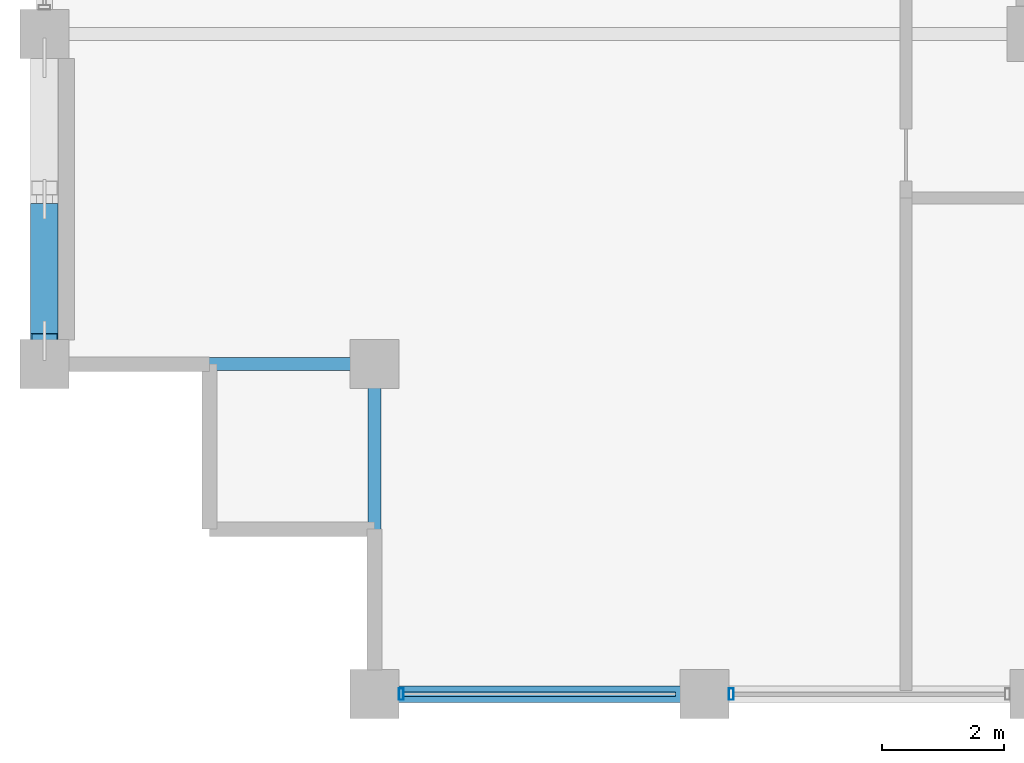
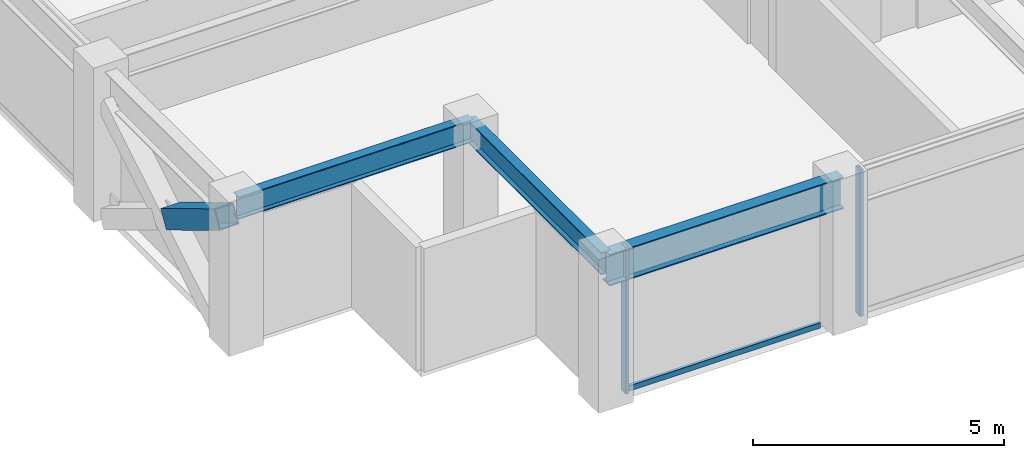
# One storey, part 2 of 32: 4 members, 3 beams, 1 element without a shape of its own.
"""IFC4 building model written with IfcOpenShell, lengths in metres."""

import ifcopenshell
import ifcopenshell.guid

model = None  # the IFC model being written
_history = None  # IfcOwnerHistory: only IFC2X3 demands one
_inside = {}  # id of a spatial element -> (the spatial element, [elements in it])
_under = {}  # id of a project, library or spatial element -> (it, [spatial elements below it])
_declared = {}  # id of a project -> (the project, [libraries it declares])
_typed = {}  # id of a type object -> (the type object, [elements of that type])
_made_of = {}  # id of a material, layer set ... -> (it, [elements and type objects made of it])


def new_model(schema):
    """Start an empty IFC model of exactly this schema.

    Asked for "IFC4X3", IfcOpenShell would pick the latest addendum, in which some entities
    have other attributes; the version numbers below select the first issue.
    IFC2X3 requires an IfcOwnerHistory on every rooted entity: one is made here for all.
    """
    global model, _history
    if schema == "IFC4X3":
        model = ifcopenshell.file(schema_version=(4, 3, 0, 0))
    else:
        model = ifcopenshell.file(schema=schema)
    _inside.clear()
    _under.clear()
    _declared.clear()
    _typed.clear()
    _made_of.clear()
    _history = None
    if model.schema == "IFC2X3":
        org = make("IfcOrganization", Name="unknown")
        user = make(
            "IfcPersonAndOrganization",
            ThePerson=make("IfcPerson", FamilyName="unknown"),
            TheOrganization=org,
        )
        app = make(
            "IfcApplication",
            ApplicationDeveloper=org,
            Version="unknown",
            ApplicationFullName="unknown",
            ApplicationIdentifier="unknown",
        )
        _history = make(
            "IfcOwnerHistory",
            OwningUser=user,
            OwningApplication=app,
            ChangeAction="ADDED",
            CreationDate=0,
        )
    return model


def make(cls, **values):
    """One entity of the class cls with the attributes given. An attribute that is None is left unset."""
    return model.create_entity(
        cls, **{name: value for name, value in values.items() if value is not None}
    )


def rooted(cls, **values):
    """An entity with a GlobalId (a new one), such as an element, a storey or a relation."""
    return make(cls, GlobalId=ifcopenshell.guid.new(), OwnerHistory=_history, **values)


def si_unit(unit_type, name, prefix=None):
    """IfcSIUnit, for example si_unit("LENGTHUNIT", "METRE", prefix="MILLI")."""
    return make("IfcSIUnit", UnitType=unit_type, Prefix=prefix, Name=name)


def assignment(units):
    """IfcUnitAssignment: the units of a project."""
    return None if units is None else make("IfcUnitAssignment", Units=units)


def point(xyz):
    """IfcCartesianPoint."""
    return None if xyz is None else make("IfcCartesianPoint", Coordinates=xyz)


def direction(xyz):
    """IfcDirection."""
    return None if xyz is None else make("IfcDirection", DirectionRatios=xyz)


def frame(location, z_axis=None, x_axis=None):
    """IfcAxis2Placement3D, a coordinate frame: its origin and axes. An axis left out is left unset."""
    return make(
        "IfcAxis2Placement3D",
        Location=point(location),
        Axis=direction(z_axis),
        RefDirection=direction(x_axis),
    )


def frame_2d(location, x_axis=None):
    """IfcAxis2Placement2D, a coordinate frame in the plane: its origin and x axis."""
    return make(
        "IfcAxis2Placement2D", Location=point(location), RefDirection=direction(x_axis)
    )


def origin():
    """The frame at (0, 0, 0) with its axes left unset."""
    return frame((0.0, 0.0, 0.0))


def origin_2d():
    """The frame at (0, 0) in the plane with its x axis left unset."""
    return frame_2d((0.0, 0.0))


def place(relative_to, where):
    """IfcLocalPlacement: puts the frame where relative to a parent placement (None: the world)."""
    return make(
        "IfcLocalPlacement", PlacementRelTo=relative_to, RelativePlacement=where
    )


def context(
    kind, dimensions, precision=None, world=None, true_north=None, identifier=None
):
    """IfcGeometricRepresentationContext, for example the 3D "Model" context."""
    return make(
        "IfcGeometricRepresentationContext",
        ContextIdentifier=identifier,
        ContextType=kind,
        CoordinateSpaceDimension=dimensions,
        Precision=precision,
        WorldCoordinateSystem=world,
        TrueNorth=true_north,
    )


def subcontext(parent, identifier, kind, view, scale=None):
    """IfcGeometricRepresentationSubContext, for example "Body" below "Model"."""
    return make(
        "IfcGeometricRepresentationSubContext",
        ContextIdentifier=identifier,
        ContextType=kind,
        ParentContext=parent,
        TargetScale=scale,
        TargetView=view,
    )


def project(units=None, contexts=None):
    """IfcProject with its units and contexts."""
    return rooted(
        "IfcProject",
        Name="project",
        RepresentationContexts=contexts,
        UnitsInContext=assignment(units),
    )


def spatial(cls, under=None, at=None, **own):
    """A site, building, storey or space (cls), placed at a placement, below another one or the project."""
    s = rooted(cls, ObjectPlacement=at, **own)
    if under is not None:
        _under.setdefault(under.id(), (under, []))[1].append(s)
    return s


def profile(cls, at=None, kind="AREA", **sizes):
    """A parametric profile (cls). Its sizes go by their IFC names, for example OverallWidth=200.0."""
    return make(cls, ProfileType=kind, Position=at, **sizes)


def hollow_rectangle(**sizes):
    """IfcRectangleHollowProfileDef."""
    return profile("IfcRectangleHollowProfileDef", **sizes)


def i_section(**sizes):
    """IfcIShapeProfileDef."""
    return profile("IfcIShapeProfileDef", **sizes)


def extrude(swept, where, along, depth):
    """IfcExtrudedAreaSolid: the profile swept, set in the frame where, extruded along a direction by depth."""
    return make(
        "IfcExtrudedAreaSolid",
        SweptArea=swept,
        Position=where,
        ExtrudedDirection=direction(along),
        Depth=depth,
    )


def shape(context_of_items, identifier, shape_type, items):
    """IfcShapeRepresentation: the items that make up one representation, for example the "Body"."""
    return make(
        "IfcShapeRepresentation",
        ContextOfItems=context_of_items,
        RepresentationIdentifier=identifier,
        RepresentationType=shape_type,
        Items=items,
    )


def material(Name=None, Category=None):
    """IfcMaterial."""
    return make("IfcMaterial", Name=Name, Category=Category)


def layer(
    of_material, thickness, ventilated=None, Name=None, Category=None, Priority=None
):
    """IfcMaterialLayer: one layer of a wall or slab, of a material (None: an air gap)."""
    return make(
        "IfcMaterialLayer",
        Material=of_material,
        LayerThickness=thickness,
        IsVentilated=ventilated,
        Name=Name,
        Category=Category,
        Priority=Priority,
    )


def layer_set(layers, Name=None):
    """IfcMaterialLayerSet."""
    return make("IfcMaterialLayerSet", MaterialLayers=layers, LayerSetName=Name)


def material_profile(
    of_material, cross_section, Name=None, Category=None, Priority=None
):
    """IfcMaterialProfile: a cross section and its material."""
    return make(
        "IfcMaterialProfile",
        Name=Name,
        Material=of_material,
        Profile=cross_section,
        Priority=Priority,
        Category=Category,
    )


def profile_set(profiles, Name=None, composite=None):
    """IfcMaterialProfileSet."""
    return make(
        "IfcMaterialProfileSet",
        Name=Name,
        MaterialProfiles=profiles,
        CompositeProfile=composite,
    )


def made_of(thing, what):
    """Note that an element or type object is made of a material, layer set ...; save() writes the relation."""
    if what is not None:
        _made_of.setdefault(what.id(), (what, []))[1].append(thing)
    return thing


def type_object(cls, material=None, **own):
    """A type object (cls), such as IfcWallType, which elements share."""
    return made_of(rooted(cls, **own), material)


def element(
    cls,
    number,
    at=None,
    inside=None,
    cuts=None,
    type_object=None,
    material=None,
    context=None,
    identifier="Body",
    shape_type=None,
    held_by="IfcProductDefinitionShape",
    body=None,
    shapes=None,
    **own,
):
    """One element of the class cls, such as IfcWall. Its Tag is "e" and its number.

    at: its placement. inside: the storey or other place that contains it. cuts: it is an
    opening in that element (IfcRelVoidsElement). A single representation is given by context,
    identifier, shape_type and body (its items); several are given by shapes. held_by: the class
    of the entity that holds the representations. save() writes the other relations.
    """
    e = rooted(cls, Tag="e%d" % number, ObjectPlacement=at, **own)
    if body is not None:
        shapes = [shape(context, identifier, shape_type, body)]
    if shapes is not None:
        e.Representation = make(held_by, Representations=shapes)
    if inside is not None:
        _inside.setdefault(inside.id(), (inside, []))[1].append(e)
    if cuts is not None:
        rooted(
            "IfcRelVoidsElement", RelatingBuildingElement=cuts, RelatedOpeningElement=e
        )
    if type_object is not None:
        _typed.setdefault(type_object.id(), (type_object, []))[1].append(e)
    return made_of(e, material)


def aggregate(whole, parts):
    """IfcRelAggregates: a whole, such as a stair, and the parts it consists of."""
    return rooted("IfcRelAggregates", RelatingObject=whole, RelatedObjects=parts)


def save(model, path):
    """Write the relations noted so far, then the file.

    IfcRelAggregates (storeys below a building ...), IfcRelContainedInSpatialStructure (elements
    in a storey), IfcRelDefinesByType, IfcRelAssociatesMaterial and IfcRelDeclares: one each for
    every whole, place, type object, material and project.
    """
    for whole, parts in _under.values():
        aggregate(whole, parts)
    for where, things in _inside.values():
        rooted(
            "IfcRelContainedInSpatialStructure",
            RelatedElements=things,
            RelatingStructure=where,
        )
    for kind, things in _typed.values():
        rooted("IfcRelDefinesByType", RelatedObjects=things, RelatingType=kind)
    for what, things in _made_of.values():
        rooted("IfcRelAssociatesMaterial", RelatedObjects=things, RelatingMaterial=what)
    for by, libraries in _declared.values():
        rooted("IfcRelDeclares", RelatingContext=by, RelatedDefinitions=libraries)
    model.write(path)


model = new_model("IFC4")

# Units and contexts
model_context = context("Model", 3, precision=1e-05, world=origin(), true_north=direction((0.0, 1.0)))
body_context = subcontext(model_context, "Body", "Model", "MODEL_VIEW")
ifc_project = project(units=[si_unit("LENGTHUNIT", "METRE"), si_unit("AREAUNIT", "SQUARE_METRE"), si_unit("VOLUMEUNIT", "CUBIC_METRE"), si_unit("PLANEANGLEUNIT", "RADIAN"), si_unit("MASSUNIT", "GRAM", prefix="KILO")], contexts=[model_context])

# Site, building, storey
site_placement = place(None, origin())
site = spatial("IfcSite", under=ifc_project, at=site_placement, CompositionType="ELEMENT")
building_placement = place(site_placement, origin())
building = spatial("IfcBuilding", under=site, at=building_placement, Name="Surkhivell Harbour Commons", CompositionType="ELEMENT")
storey_placement = place(building_placement, frame((0.0, 0.0, 219.75)))
storey = spatial("IfcBuildingStorey", under=building, at=storey_placement, Name="L57", CompositionType="ELEMENT", Elevation=219.75)

# Beams
ifc_material_1 = material(Name="Steel S355", Category="steel")
ifc_material_profile_1 = material_profile(ifc_material_1, i_section(OverallWidth=0.2119140625, OverallDepth=0.5439453125, WebThickness=0.0126953125, FlangeThickness=0.021240234375, at=origin_2d()), Name="UB533x210x122")
ifc_profile_set_1 = profile_set([ifc_material_profile_1], Name="Steel S355")
beam_type_1 = type_object("IfcBeamType", Name="BM-GRD-533A", PredefinedType="BEAM", material=ifc_profile_set_1)
beam_1_placement = place(storey_placement, frame((-27.0, -16.199951171875, 3.298095703125), z_axis=(1.0, 0.0, 0.0), x_axis=(0.0, 1.0, 0.0)))
element("IfcBeam", 1, at=beam_1_placement, inside=storey, type_object=beam_type_1, Name="L57 Floor Girder (-27.0,-16.2)", PredefinedType="BEAM", context=body_context, shape_type="SweptSolid", body=[
    extrude(i_section(OverallWidth=0.2119140625, OverallDepth=0.5439453125, WebThickness=0.0126953125, FlangeThickness=0.021240234375, at=origin_2d()), origin(), (0.0, 0.0, 1.0), 5.39990234375),
])
beam_2_placement = place(storey_placement, frame((-21.60009765625, -21.60009765625, 3.298095703125), z_axis=(0.0, 1.0, 0.0), x_axis=(-1.0, 0.0, 0.0)))
element("IfcBeam", 2, at=beam_2_placement, inside=storey, type_object=beam_type_1, Name="L57 Floor Girder (-21.6,-21.6)", PredefinedType="BEAM", context=body_context, shape_type="SweptSolid", body=[
    extrude(i_section(OverallWidth=0.2119140625, OverallDepth=0.5439453125, WebThickness=0.0126953125, FlangeThickness=0.021240234375, at=origin_2d()), origin(), (0.0, 0.0, 1.0), 5.400146484375),
])
ifc_material_profile_2 = material_profile(ifc_material_1, i_section(OverallWidth=0.26806640625, OverallDepth=0.77001953125, WebThickness=0.015625, FlangeThickness=0.025390625, at=origin_2d()), Name="UB762x267x197")
ifc_profile_set_2 = profile_set([ifc_material_profile_2], Name="Steel S355")
beam_type_2 = type_object("IfcBeamType", Name="BM-SPN-762", PredefinedType="SPANDREL", material=ifc_profile_set_2)
beam_3_placement = place(storey_placement, frame((-21.60009765625, -21.60009765625, 3.18505859375), z_axis=(1.0, 0.0, 0.0), x_axis=(0.0, 1.0, 0.0)))
element("IfcBeam", 3, at=beam_3_placement, inside=storey, type_object=beam_type_2, Name="L57 Tube Spandrel (-21.6,-21.6)", PredefinedType="SPANDREL", context=body_context, shape_type="SweptSolid", body=[
    extrude(i_section(OverallWidth=0.26806640625, OverallDepth=0.77001953125, WebThickness=0.015625, FlangeThickness=0.025390625, at=origin_2d()), origin(), (0.0, 0.0, 1.0), 5.400146484375),
])

# Curtain wall, members
ifc_material_2 = material(Name="Anodised pale-metal aluminium and insulated glazing", Category="aluminium")
ifc_layer = layer(ifc_material_2, 0.18994140625)
ifc_layer_set = layer_set([ifc_layer], Name="Anodised pale-metal aluminium and insulated glazing")
curtain_wall_type = type_object("IfcCurtainWallType", Name="CW-SYS-Z3", PredefinedType="NOTDEFINED", material=ifc_layer_set)
curtain_wall_placement = place(storey_placement, origin())
curtain_wall = element("IfcCurtainWall", 4, at=curtain_wall_placement, inside=storey, type_object=curtain_wall_type, Name="L57 Curtain Wall CW-L57-E00S1", PredefinedType="NOTDEFINED")
ifc_material_3 = material(Name="Anodised pale-metal aluminium alloy 6063-T6", Category="aluminium")
ifc_material_profile_3 = material_profile(ifc_material_3, hollow_rectangle(XDim=0.074951171875, YDim=0.18994140625, WallThickness=0.00390625, at=origin_2d()), Name="ALU-MULL-75x190")
ifc_profile_set_3 = profile_set([ifc_material_profile_3], Name="Anodised pale-metal aluminium alloy 6063-T6")
member_type_1 = type_object("IfcMemberType", Name="CWM-190", PredefinedType="MULLION", material=ifc_profile_set_3)
member_1_placement = place(storey_placement, frame((-21.160400390625, -21.60009765625, 0.0), z_axis=(0.0, 0.0, 1.0), x_axis=(1.0, 0.0, 0.0)))
member_1 = element("IfcMember", 5, at=member_1_placement, type_object=member_type_1, Name="CW-Z3 mullion 1", PredefinedType="MULLION", context=body_context, shape_type="SweptSolid", body=[
    extrude(hollow_rectangle(XDim=0.074951171875, YDim=0.18994140625, WallThickness=0.00390625, at=origin_2d()), origin(), (0.0, 0.0, 1.0), 3.570068359375),
])
member_2_placement = place(storey_placement, frame((-15.760498046875, -21.60009765625, 0.0), z_axis=(0.0, 0.0, 1.0), x_axis=(1.0, 0.0, 0.0)))
member_2 = element("IfcMember", 6, at=member_2_placement, type_object=member_type_1, Name="CW-Z3 mullion 2", PredefinedType="MULLION", context=body_context, shape_type="SweptSolid", body=[
    extrude(hollow_rectangle(XDim=0.074951171875, YDim=0.18994140625, WallThickness=0.00390625, at=origin_2d()), origin(), (0.0, 0.0, 1.0), 3.570068359375),
])
ifc_material_4 = material(Name="Champagne anodised aluminium alloy 6063-T6", Category="aluminium")
ifc_material_profile_4 = material_profile(ifc_material_4, hollow_rectangle(XDim=0.070068359375, YDim=0.1298828125, WallThickness=0.00341796875, at=origin_2d()), Name="ALU-TRAN-70x130")
ifc_profile_set_4 = profile_set([ifc_material_profile_4], Name="Champagne anodised aluminium alloy 6063-T6")
member_type_2 = type_object("IfcMemberType", Name="CWT-130", PredefinedType="USERDEFINED", material=ifc_profile_set_4)
member_3_placement = place(storey_placement, frame((-21.123046875, -21.60009765625, 0.06494140625), z_axis=(1.0, 0.0, 0.0), x_axis=(0.0, 1.0, 0.0)))
member_3 = element("IfcMember", 7, at=member_3_placement, type_object=member_type_2, Name="CW-Z3 transom 1.1", ObjectType="TRANSOM", PredefinedType="USERDEFINED", context=body_context, shape_type="SweptSolid", body=[
    extrude(hollow_rectangle(XDim=0.070068359375, YDim=0.1298828125, WallThickness=0.00341796875, at=origin_2d()), origin(), (0.0, 0.0, 1.0), 4.446044921875),
])
aggregate(curtain_wall, [member_1, member_3, member_2])

# Member
ifc_material_5 = material(Name="Steel S460", Category="steel")
ifc_material_profile_5 = material_profile(ifc_material_5, hollow_rectangle(XDim=0.449951171875, YDim=0.449951171875, WallThickness=0.02197265625, at=origin_2d()), Name="SHS450x450x22")
ifc_profile_set_5 = profile_set([ifc_material_profile_5], Name="Steel S460")
member_type_3 = type_object("IfcMemberType", Name="MEM-BRC-SHS450", PredefinedType="BRACE", material=ifc_profile_set_5)
member_4_placement = place(storey_placement, frame((-27.0, -13.684814453125, 1.517578125), z_axis=(0.0, -0.856017753989, 0.516946423584), x_axis=(1.0, 0.0, 0.0)))
element("IfcMember", 8, at=member_4_placement, inside=storey, type_object=member_type_3, Name="L57 Perimeter Mega-Brace MB- 12", PredefinedType="BRACE", context=body_context, shape_type="SweptSolid", body=[
    extrude(hollow_rectangle(XDim=0.449951171875, YDim=0.449951171875, WallThickness=0.02197265625, at=origin_2d()), origin(), (0.0, 0.0, 1.0), 2.488525390625),
])

save(model, "model.ifc")
